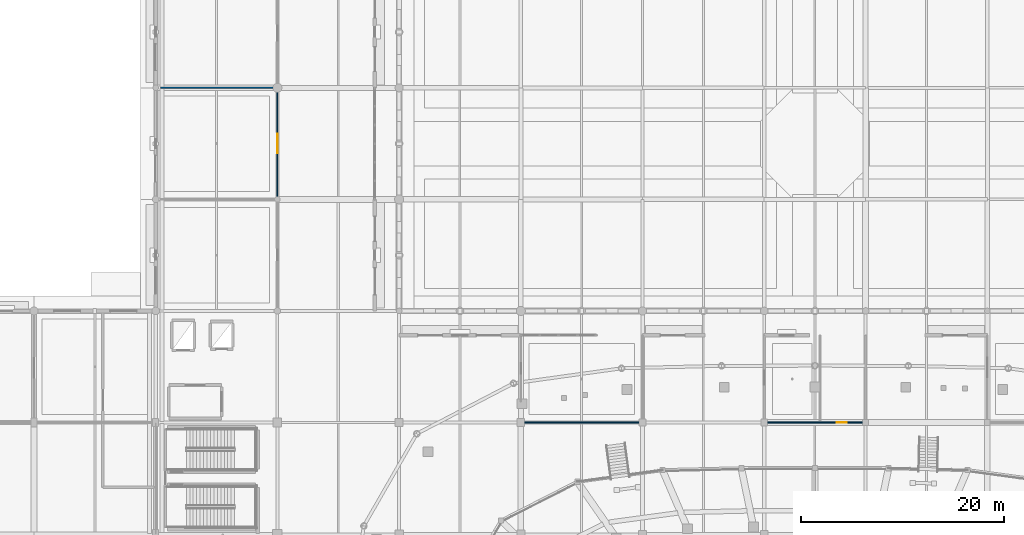
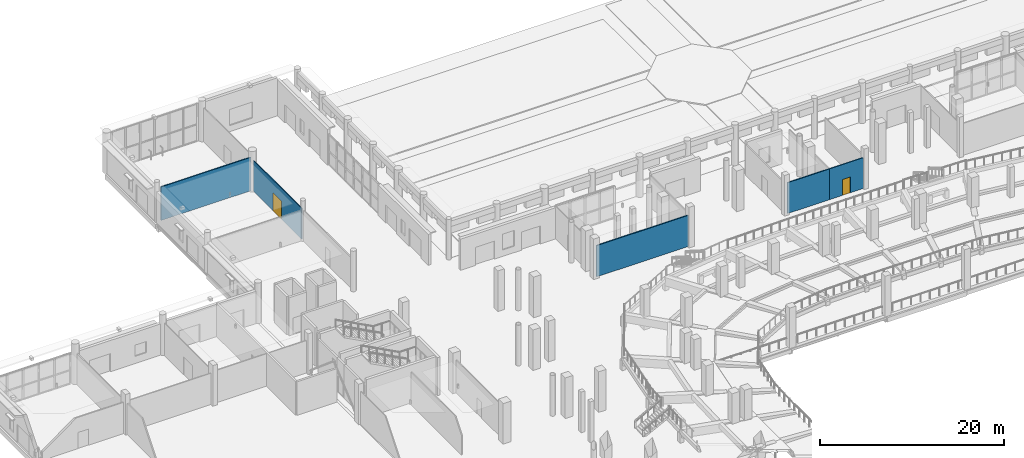
# One storey, part 61 of 120: 5 walls, 2 doors, 2 openings.
"""IFC4 building model written with IfcOpenShell, lengths in metres."""

from ifc_helpers import new_model, si_unit, direction, frame, frame_2d, origin, place, context, subcontext, project, spatial, rectangle, extrude, material, layer, layer_set, type_object, element, fill, save


model = new_model("IFC4")

# Units and contexts
model_context = context("Model", 3, precision=1e-05, world=origin(), true_north=direction((0.0, 1.0)))
body_context = subcontext(model_context, "Body", "Model", "MODEL_VIEW")
ifc_project = project(units=[si_unit("LENGTHUNIT", "METRE"), si_unit("AREAUNIT", "SQUARE_METRE"), si_unit("VOLUMEUNIT", "CUBIC_METRE"), si_unit("PLANEANGLEUNIT", "RADIAN"), si_unit("MASSUNIT", "GRAM", prefix="KILO")], contexts=[model_context])

# Site, building, storey
site_placement = place(None, origin())
site = spatial("IfcSite", under=ifc_project, at=site_placement, CompositionType="ELEMENT")
building_placement = place(site_placement, origin())
building = spatial("IfcBuilding", under=site, at=building_placement, Name="Luwafu Chhajja Arena", CompositionType="ELEMENT")
storey_placement = place(building_placement, origin())
storey = spatial("IfcBuildingStorey", under=building, at=storey_placement, Name="L00", CompositionType="ELEMENT", Elevation=0.0)

# Wall
ifc_material_1 = material(Name="Lightweight blockwork partition", Category="masonry")
ifc_layer_1 = layer(ifc_material_1, 0.139892578125, Name="Lightweight blockwork partition")
ifc_layer_set_1 = layer_set([ifc_layer_1], Name="Lightweight blockwork partition")
wall_type_1 = type_object("IfcWallType", Name="Concourse Kiosk Partition 140", PredefinedType="PARTITIONING", material=ifc_layer_set_1)
wall_1_placement = place(storey_placement, frame((70.219970703125, 88.0, 0.0), z_axis=(0.0, 0.0, 1.0), x_axis=(1.0, 0.0, 0.0)))
element("IfcWall", 1, at=wall_1_placement, inside=storey, type_object=wall_type_1, Name="L00 Internal Partition 0163", PredefinedType="PARTITIONING", context=body_context, shape_type="SweptSolid", body=[
    extrude(rectangle(XDim=11.56005859375, YDim=0.139892578125, at=frame_2d((5.780029296875, 0.0))), origin(), (0.0, 0.0, 1.0), 4.14990234375),
])

# Wall, opening, door
ifc_material_2 = material(Name="Gypsum plasterboard partition")
ifc_layer_2 = layer(ifc_material_2, 0.10009765625, Name="Gypsum plasterboard partition")
ifc_layer_set_2 = layer_set([ifc_layer_2], Name="Gypsum plasterboard partition")
wall_type_2 = type_object("IfcWallType", Name="Drywall Lining Partition 100", PredefinedType="PARTITIONING", material=ifc_layer_set_2)
wall_2_placement = place(storey_placement, frame((46.0, 110.219970703125, 0.0), z_axis=(0.0, 0.0, 1.0), x_axis=(0.0, 1.0, 0.0)))
wall_2 = element("IfcWall", 2, at=wall_2_placement, inside=storey, type_object=wall_type_2, Name="L00 Internal Partition 0160", PredefinedType="PARTITIONING", context=body_context, shape_type="SweptSolid", body=[
    extrude(rectangle(XDim=10.56005859375, YDim=0.10009765625, at=frame_2d((5.280029296875, 0.0))), origin(), (0.0, 0.0, 1.0), 4.10009765625),
])
opening_1_placement = place(wall_2_placement, frame((4.304931640625, 0.0, 0.0)))
opening_1 = element("IfcOpeningElement", 3, at=opening_1_placement, cuts=wall_2, Name="Opening DR-25", PredefinedType="OPENING", context=body_context, shape_type="SweptSolid", body=[
    extrude(rectangle(XDim=1.949951171875, YDim=2.39990234375, at=frame_2d((0.97509765625, 1.199951171875))), frame((0.0, 0.06005859375, 0.0), z_axis=(0.0, -1.0, 0.0), x_axis=(1.0, 0.0, 0.0)), (0.0, 0.0, 1.0), 0.1201171875),
])
ifc_material_3 = material(Name="Anodised bronze glazed double door")
door_type_1 = type_object("IfcDoorType", Name="DR-25", OperationType="DOUBLE_DOOR_SINGLE_SWING", PredefinedType="DOOR", material=ifc_material_3)
door_1_placement = place(opening_1_placement, origin())
door_1 = element("IfcDoor", 4, at=door_1_placement, inside=storey, type_object=door_type_1, Name="L00 Interior Door L00-D041", OperationType="DOUBLE_DOOR_SINGLE_SWING", OverallHeight=2.39990234375, OverallWidth=1.949951171875, PredefinedType="DOOR", context=body_context, shape_type="SweptSolid", body=[
    extrude(rectangle(XDim=1.949951171875, YDim=2.39990234375, at=frame_2d((0.97509765625, 1.199951171875))), frame((0.0, 0.02490234375, 0.0), z_axis=(0.0, -1.0, 0.0), x_axis=(1.0, 0.0, 0.0)), (0.0, 0.0, 1.0), 0.050048828125),
])
fill(opening_1, door_1)

# Wall
ifc_material_4 = material(Name="Acoustic metal-stud gypsum board")
ifc_layer_3 = layer(ifc_material_4, 0.1201171875, Name="Acoustic metal-stud gypsum board")
ifc_layer_set_3 = layer_set([ifc_layer_3], Name="Acoustic metal-stud gypsum board")
wall_type_3 = type_object("IfcWallType", Name="Internal Room Partition 120", PredefinedType="PARTITIONING", material=ifc_layer_set_3)
wall_3_placement = place(storey_placement, frame((94.219970703125, 88.0, 0.0), z_axis=(0.0, 0.0, 1.0), x_axis=(1.0, 0.0, 0.0)))
element("IfcWall", 5, at=wall_3_placement, inside=storey, type_object=wall_type_3, Name="L00 Internal Partition 0166", PredefinedType="PARTITIONING", context=body_context, shape_type="SweptSolid", body=[
    extrude(rectangle(XDim=5.280029296875, YDim=0.1201171875, at=frame_2d((2.64013671875, 0.0))), origin(), (0.0, 0.0, 1.0), 4.10009765625),
])

# Wall, opening, door
wall_4_placement = place(storey_placement, frame((99.5, 88.0, 0.0), z_axis=(0.0, 0.0, 1.0), x_axis=(1.0, 0.0, 0.0)))
wall_4 = element("IfcWall", 6, at=wall_4_placement, inside=storey, type_object=wall_type_3, Name="L00 Internal Partition 0167", PredefinedType="PARTITIONING", context=body_context, shape_type="SweptSolid", body=[
    extrude(rectangle(XDim=4.280029296875, YDim=0.1201171875, at=frame_2d((2.14013671875, 0.0))), origin(), (0.0, 0.0, 1.0), 4.10009765625),
])
opening_2_placement = place(wall_4_placement, frame((1.64990234375, 0.0, 0.0)))
opening_2 = element("IfcOpeningElement", 7, at=opening_2_placement, cuts=wall_4, Name="Opening DR-27", PredefinedType="OPENING", context=body_context, shape_type="SweptSolid", body=[
    extrude(rectangle(XDim=0.97998046875, YDim=2.10009765625, at=frame_2d((0.489990234375, 1.050048828125))), frame((0.0, 0.070068359375, 0.0), z_axis=(0.0, -1.0, 0.0), x_axis=(1.0, 0.0, 0.0)), (0.0, 0.0, 1.0), 0.14013671875),
])
ifc_material_5 = material(Name="Moisture-resistant laminate leaf")
door_type_2 = type_object("IfcDoorType", Name="DR-27", OperationType="NOTDEFINED", PredefinedType="DOOR", material=ifc_material_5)
door_2_placement = place(opening_2_placement, origin())
door_2 = element("IfcDoor", 8, at=door_2_placement, inside=storey, type_object=door_type_2, Name="L00 Interior Door L00-D045", OperationType="SINGLE_SWING_LEFT", OverallHeight=2.10009765625, OverallWidth=0.97998046875, PredefinedType="DOOR", context=body_context, shape_type="SweptSolid", body=[
    extrude(rectangle(XDim=0.97998046875, YDim=2.10009765625, at=frame_2d((0.489990234375, 1.050048828125))), frame((0.0, 0.02490234375, 0.0), z_axis=(0.0, -1.0, 0.0), x_axis=(1.0, 0.0, 0.0)), (0.0, 0.0, 1.0), 0.050048828125),
])
fill(opening_2, door_2)

# Wall
wall_5_placement = place(storey_placement, frame((34.47998046875, 121.0, 0.0), z_axis=(0.0, 0.0, 1.0), x_axis=(1.0, 0.0, 0.0)))
element("IfcWall", 9, at=wall_5_placement, inside=storey, type_object=wall_type_3, Name="L00 Internal Partition 0204", PredefinedType="PARTITIONING", context=body_context, shape_type="SweptSolid", body=[
    extrude(rectangle(XDim=11.300048828125, YDim=0.1201171875, at=frame_2d((5.64990234375, 0.0))), origin(), (0.0, 0.0, 1.0), 4.449951171875),
])

save(model, "model.ifc")
